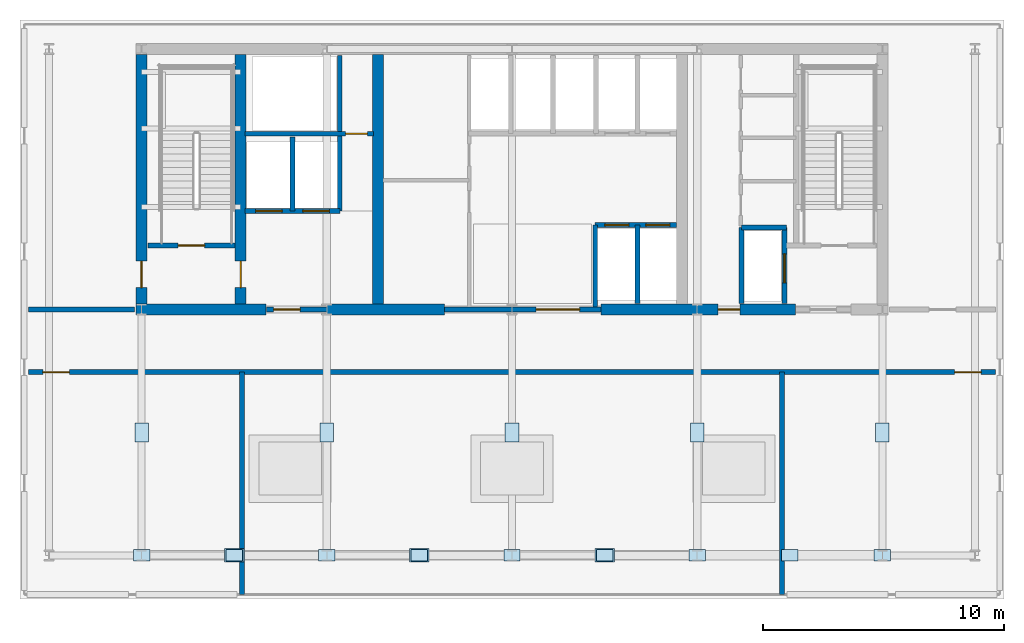
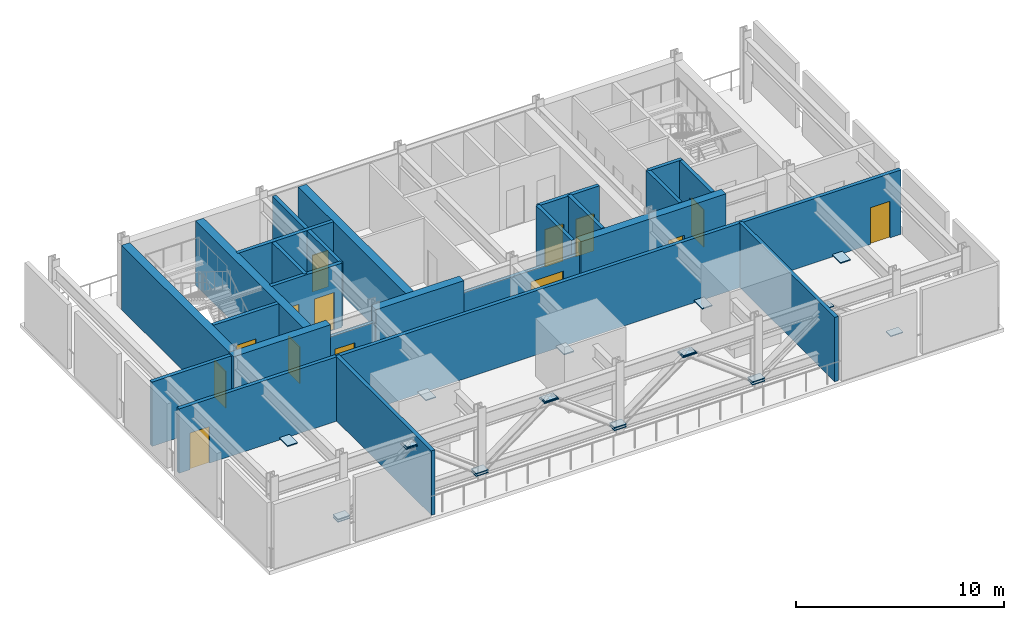
# One storey, part 2 of 8: 23 walls, 21 plates, 14 doors, 14 openings.
"""IFC4 building model written with IfcOpenShell, lengths in metres."""

from ifc_helpers import new_model, si_unit, direction, frame, frame_2d, origin, origin_2d, place, context, subcontext, project, spatial, rectangle, extrude, material, layer, layer_set, type_object, element, fill, save


model = new_model("IFC4")

# Units and contexts
model_context = context("Model", 3, precision=1e-05, world=origin(), true_north=direction((0.0, 1.0)))
body_context = subcontext(model_context, "Body", "Model", "MODEL_VIEW")
ifc_project = project(units=[si_unit("LENGTHUNIT", "METRE"), si_unit("AREAUNIT", "SQUARE_METRE"), si_unit("VOLUMEUNIT", "CUBIC_METRE"), si_unit("PLANEANGLEUNIT", "RADIAN"), si_unit("MASSUNIT", "GRAM", prefix="KILO")], contexts=[model_context])

# Site, building, storey
site_placement = place(None, origin())
site = spatial("IfcSite", under=ifc_project, at=site_placement, CompositionType="ELEMENT")
building_placement = place(site_placement, origin())
building = spatial("IfcBuilding", under=site, at=building_placement, Name="Yelkora Congress Tower", CompositionType="ELEMENT")
storey_placement = place(building_placement, frame((0.0, 0.0, 196.10009765625)))
storey = spatial("IfcBuildingStorey", under=building, at=storey_placement, Name="L54", CompositionType="ELEMENT", Elevation=196.10009765625)

# Plates
ifc_material_1 = material(Name="Steel S355J2", Category="steel")
ifc_layer_1 = layer(ifc_material_1, 0.050048828125)
ifc_layer_set_1 = layer_set([ifc_layer_1], Name="Steel S355J2")
plate_type_1 = type_object("IfcPlateType", Name="PLT-GUSSET-680x480", PredefinedType="USERDEFINED", material=ifc_layer_set_1)
for number, where, z_axis, x_axis, name in (
    (1, (26.8798828125, 25.199951171875, 3.3046875), (0.0, 0.0, 1.0), (1.0, 0.0, 0.0), "N3 L54 Belt Truss Apex Gusset Plate 1"),
    (2, (23.0400390625, 25.199951171875, 0.4248046875), (0.0, 0.0, 1.0), (1.0, 0.0, 0.0), "N3 L54 Belt Truss Foot Gusset Plate 1L"),
    (3, (34.56005859375, 25.199951171875, 3.3046875), (0.0, 0.0, 1.0), (1.0, 0.0, 0.0), "N3 L54 Belt Truss Apex Gusset Plate 2"),
    (4, (30.719970703125, 25.199951171875, 0.4248046875), (0.0, 0.0, 1.0), (1.0, 0.0, 0.0), "N3 L54 Belt Truss Foot Gusset Plate 2L"),
    (5, (42.239990234375, 25.199951171875, 3.3046875), (0.0, 0.0, 1.0), (1.0, 0.0, 0.0), "N3 L54 Belt Truss Apex Gusset Plate 3"),
    (6, (38.39990234375, 25.199951171875, 0.4248046875), (0.0, 0.0, 1.0), (1.0, 0.0, 0.0), "N3 L54 Belt Truss Foot Gusset Plate 3L"),
    (7, (49.919921875, 25.199951171875, 3.3046875), (0.0, 0.0, 1.0), (1.0, 0.0, 0.0), "N3 L54 Belt Truss Apex Gusset Plate 4"),
    (8, (46.080078125, 25.199951171875, 0.4248046875), (0.0, 0.0, 1.0), (1.0, 0.0, 0.0), "N3 L54 Belt Truss Foot Gusset Plate 4L"),
    (9, (53.760009765625, 25.199951171875, 0.4248046875), (0.0, 0.0, 1.0), (1.0, 0.0, 0.0), "N3 L54 Belt Truss Foot Gusset Plate R"),
):
    element("IfcPlate", number, at=place(storey_placement, frame(where, z_axis=z_axis, x_axis=x_axis)), inside=storey, type_object=plate_type_1, Name=name, ObjectType="GUSSET_PLATE", PredefinedType="USERDEFINED", context=body_context, shape_type="SweptSolid", body=[
        extrude(rectangle(XDim=0.679931640625, YDim=0.47998046875, at=origin_2d()), origin(), (0.0, 0.0, 1.0), 0.050048828125),
    ])
ifc_layer_2 = layer(ifc_material_1, 0.050048828125)
ifc_layer_set_2 = layer_set([ifc_layer_2], Name="Steel S355J2")
plate_type_2 = type_object("IfcPlateType", Name="PLT-GUSSET-680x480-EXT", PredefinedType="USERDEFINED", material=ifc_layer_set_2)
for number, where, z_axis, x_axis, name in (
    (10, (23.0400390625, 25.199951171875, 0.27490234375), (0.0, 0.0, 1.0), (1.0, 0.0, 0.0), "Turbine Portal Foot Gusset 1"),
    (11, (30.719970703125, 25.199951171875, 0.27490234375), (0.0, 0.0, 1.0), (1.0, 0.0, 0.0), "Turbine Portal Foot Gusset 2"),
    (12, (38.39990234375, 25.199951171875, 0.27490234375), (0.0, 0.0, 1.0), (1.0, 0.0, 0.0), "Turbine Portal Foot Gusset 3"),
    (13, (46.080078125, 25.199951171875, 0.27490234375), (0.0, 0.0, 1.0), (1.0, 0.0, 0.0), "Turbine Portal Foot Gusset 4"),
):
    element("IfcPlate", number, at=place(storey_placement, frame(where, z_axis=z_axis, x_axis=x_axis)), inside=storey, type_object=plate_type_2, Name=name, ObjectType="GUSSET_PLATE", PredefinedType="USERDEFINED", context=body_context, shape_type="SweptSolid", body=[
        extrude(rectangle(XDim=0.679931640625, YDim=0.47998046875, at=origin_2d()), origin(), (0.0, 0.0, 1.0), 0.050048828125),
    ])
ifc_material_2 = material(Name="Steel S460M", Category="steel")
ifc_layer_3 = layer(ifc_material_2, 0.06005859375)
ifc_layer_set_3 = layer_set([ifc_layer_3], Name="Steel S460M")
plate_type_3 = type_object("IfcPlateType", Name="PLT-GUSSET-800x560", PredefinedType="USERDEFINED", material=ifc_layer_set_3)
for number, where, z_axis, x_axis, name in (
    (14, (23.0400390625, 30.300048828125, 1.7099609375), (0.0, 0.0, 1.0), (0.0, 1.0, 0.0), "N3 Outrigger X-Brace Crossing Gusset Plate 1"),
    (15, (30.719970703125, 30.300048828125, 1.7099609375), (0.0, 0.0, 1.0), (0.0, 1.0, 0.0), "N3 Outrigger X-Brace Crossing Gusset Plate 2"),
    (16, (38.39990234375, 30.300048828125, 1.7099609375), (0.0, 0.0, 1.0), (0.0, 1.0, 0.0), "N3 Outrigger X-Brace Crossing Gusset Plate 3"),
    (17, (46.080078125, 30.300048828125, 1.7099609375), (0.0, 0.0, 1.0), (0.0, 1.0, 0.0), "N3 Outrigger X-Brace Crossing Gusset Plate 4"),
    (18, (53.760009765625, 30.300048828125, 1.7099609375), (0.0, 0.0, 1.0), (0.0, 1.0, 0.0), "N3 Outrigger X-Brace Crossing Gusset Plate 5"),
):
    element("IfcPlate", number, at=place(storey_placement, frame(where, z_axis=z_axis, x_axis=x_axis)), inside=storey, type_object=plate_type_3, Name=name, ObjectType="GUSSET_PLATE", PredefinedType="USERDEFINED", context=body_context, shape_type="SweptSolid", body=[
        extrude(rectangle(XDim=0.800048828125, YDim=0.56005859375, at=origin_2d()), origin(), (0.0, 0.0, 1.0), 0.06005859375),
    ])
ifc_layer_4 = layer(ifc_material_2, 0.06005859375)
ifc_layer_set_4 = layer_set([ifc_layer_4], Name="Steel S460M")
plate_type_4 = type_object("IfcPlateType", Name="PLT-GUSSET-800x560-EXT", PredefinedType="USERDEFINED", material=ifc_layer_set_4)
for number, where, z_axis, x_axis, name in (
    (19, (26.8798828125, 25.199951171875, 3.249755859375), (0.0, 0.0, 1.0), (1.0, 0.0, 0.0), "Turbine Portal Apex Gusset 1"),
    (20, (34.56005859375, 25.199951171875, 3.249755859375), (0.0, 0.0, 1.0), (1.0, 0.0, 0.0), "Turbine Portal Apex Gusset 2"),
    (21, (42.239990234375, 25.199951171875, 3.249755859375), (0.0, 0.0, 1.0), (1.0, 0.0, 0.0), "Turbine Portal Apex Gusset 3"),
):
    element("IfcPlate", number, at=place(storey_placement, frame(where, z_axis=z_axis, x_axis=x_axis)), inside=storey, type_object=plate_type_4, Name=name, ObjectType="GUSSET_PLATE", PredefinedType="USERDEFINED", context=body_context, shape_type="SweptSolid", body=[
        extrude(rectangle(XDim=0.800048828125, YDim=0.56005859375, at=origin_2d()), origin(), (0.0, 0.0, 1.0), 0.06005859375),
    ])

# Walls
ifc_material_3 = material(Name="Concrete C60/75", Category="concrete")
ifc_layer_5 = layer(ifc_material_3, 0.449951171875)
ifc_layer_set_5 = layer_set([ifc_layer_5], Name="Concrete C60/75")
wall_type_1 = type_object("IfcWallType", Name="WALL-CORE-INT-450", PredefinedType="SHEAR", material=ifc_layer_set_5)
wall_1_placement = place(storey_placement, frame((22.81494140625, 35.39990234375, 0.0), z_axis=(0.0, 0.0, 1.0), x_axis=(1.0, 0.0, 0.0)))
element("IfcWall", 22, at=wall_1_placement, inside=storey, type_object=wall_type_1, Name="L54 Rear Core South-West Shear Wall", PredefinedType="SHEAR", context=body_context, shape_type="SweptSolid", body=[
    extrude(rectangle(XDim=5.385009765625, YDim=0.449951171875, at=frame_2d((2.6923828125, 0.0))), origin(), (0.0, 0.0, 1.0), 3.77978515625),
])
wall_2_placement = place(storey_placement, frame((30.719970703125, 35.39990234375, 0.0), z_axis=(0.0, 0.0, 1.0), x_axis=(1.0, 0.0, 0.0)))
element("IfcWall", 23, at=wall_2_placement, inside=storey, type_object=wall_type_1, Name="L54 Rear Core South-Center Shear Pier", PredefinedType="SHEAR", context=body_context, shape_type="SweptSolid", body=[
    extrude(rectangle(XDim=4.880126953125, YDim=0.449951171875, at=frame_2d((2.43994140625, 0.0))), origin(), (0.0, 0.0, 1.0), 3.77978515625),
])

# Wall, opening, door
wall_3_placement = place(storey_placement, frame((42.10009765625, 35.39990234375, 0.0), z_axis=(0.0, 0.0, 1.0), x_axis=(1.0, 0.0, 0.0)))
wall_3 = element("IfcWall", 24, at=wall_3_placement, inside=storey, type_object=wall_type_1, Name="L54 Rear Core South-East Shear Wall A", PredefinedType="SHEAR", context=body_context, shape_type="SweptSolid", body=[
    extrude(rectangle(XDim=8.0498046875, YDim=0.449951171875, at=frame_2d((4.02490234375, 0.0))), origin(), (0.0, 0.0, 1.0), 3.77978515625),
])
opening_1_placement = place(wall_3_placement, frame((4.85009765625, 0.0, 0.0)))
opening_1 = element("IfcOpeningElement", 25, at=opening_1_placement, cuts=wall_3, Name="Opening DR-090F6", PredefinedType="OPENING", context=body_context, shape_type="SweptSolid", body=[
    extrude(rectangle(XDim=0.89990234375, YDim=2.14990234375, at=frame_2d((0.449951171875, 1.074951171875))), frame((0.0, 0.23486328125, 0.0), z_axis=(0.0, -1.0, 0.0), x_axis=(1.0, 0.0, 0.0)), (0.0, 0.0, 1.0), 0.469970703125),
])
ifc_material_4 = material(Name="Painted steel riser fire door leaf", Category="steel")
door_type_1 = type_object("IfcDoorType", Name="DOOR-FD60-900", OperationType="NOTDEFINED", PredefinedType="DOOR", material=ifc_material_4)
door_1_placement = place(opening_1_placement, origin())
door_1 = element("IfcDoor", 26, at=door_1_placement, inside=storey, type_object=door_type_1, Name="L54 Core Washroom Lobby Door", OperationType="SINGLE_SWING_RIGHT", OverallHeight=2.14990234375, OverallWidth=0.89990234375, PredefinedType="DOOR", context=body_context, shape_type="SweptSolid", body=[
    extrude(rectangle(XDim=0.89990234375, YDim=2.14990234375, at=frame_2d((0.449951171875, 1.074951171875))), frame((0.0, 0.02490234375, 0.0), z_axis=(0.0, -1.0, 0.0), x_axis=(1.0, 0.0, 0.0)), (0.0, 0.0, 1.0), 0.050048828125),
])
fill(opening_1, door_1)

wall_4_placement = place(storey_placement, frame((23.0400390625, 35.625, 0.0), z_axis=(0.0, 0.0, 1.0), x_axis=(0.0, 1.0, 0.0)))
wall_4 = element("IfcWall", 27, at=wall_4_placement, inside=storey, type_object=wall_type_1, Name="L54 Rear Core Cross Shear Wall W", PredefinedType="SHEAR", context=body_context, shape_type="SweptSolid", body=[
    extrude(rectangle(XDim=10.35009765625, YDim=0.449951171875, at=frame_2d((5.175048828125, 0.0))), origin(), (0.0, 0.0, 1.0), 3.77978515625),
])
opening_2_placement = place(wall_4_placement, frame((0.675048828125, 0.0, 0.0)))
opening_2 = element("IfcOpeningElement", 28, at=opening_2_placement, cuts=wall_4, Name="Opening DR-110F9", PredefinedType="OPENING", context=body_context, shape_type="SweptSolid", body=[
    extrude(rectangle(XDim=1.10009765625, YDim=2.14990234375, at=frame_2d((0.550048828125, 1.074951171875))), frame((0.0, 0.23486328125, 0.0), z_axis=(0.0, -1.0, 0.0), x_axis=(1.0, 0.0, 0.0)), (0.0, 0.0, 1.0), 0.469970703125),
])
ifc_material_5 = material(Name="Galvanised steel fire door leaf", Category="steel")
door_type_2 = type_object("IfcDoorType", Name="DOOR-FD90-1100", OperationType="NOTDEFINED", PredefinedType="DOOR", material=ifc_material_5)
door_2_placement = place(opening_2_placement, origin())
door_2 = element("IfcDoor", 29, at=door_2_placement, inside=storey, type_object=door_type_2, Name="L54 Area of Refuge Direct Stair-Lobby Door", OperationType="SINGLE_SWING_LEFT", OverallHeight=2.14990234375, OverallWidth=1.10009765625, PredefinedType="DOOR", context=body_context, shape_type="SweptSolid", body=[
    extrude(rectangle(XDim=1.10009765625, YDim=2.14990234375, at=frame_2d((0.550048828125, 1.074951171875))), frame((0.0, 0.02490234375, 0.0), z_axis=(0.0, -1.0, 0.0), x_axis=(1.0, 0.0, 0.0)), (0.0, 0.0, 1.0), 0.050048828125),
])
fill(opening_2, door_2)

wall_5_placement = place(storey_placement, frame((27.14990234375, 35.625, 0.0), z_axis=(0.0, 0.0, 1.0), x_axis=(0.0, 1.0, 0.0)))
wall_5 = element("IfcWall", 30, at=wall_5_placement, inside=storey, type_object=wall_type_1, Name="L54 Rear Core Cross Shear Wall C1", PredefinedType="SHEAR", context=body_context, shape_type="SweptSolid", body=[
    extrude(rectangle(XDim=10.35009765625, YDim=0.449951171875, at=frame_2d((5.175048828125, 0.0))), origin(), (0.0, 0.0, 1.0), 3.77978515625),
])
opening_3_placement = place(wall_5_placement, frame((0.675048828125, 0.0, 0.0)))
opening_3 = element("IfcOpeningElement", 31, at=opening_3_placement, cuts=wall_5, Name="Opening DR-110F9", PredefinedType="OPENING", context=body_context, shape_type="SweptSolid", body=[
    extrude(rectangle(XDim=1.10009765625, YDim=2.14990234375, at=frame_2d((0.550048828125, 1.074951171875))), frame((0.0, 0.23486328125, 0.0), z_axis=(0.0, -1.0, 0.0), x_axis=(1.0, 0.0, 0.0)), (0.0, 0.0, 1.0), 0.469970703125),
])
door_3_placement = place(opening_3_placement, origin())
door_3 = element("IfcDoor", 32, at=door_3_placement, inside=storey, type_object=door_type_2, Name="L54 Firefighting Stair Transfer Door", OperationType="SINGLE_SWING_LEFT", OverallHeight=2.14990234375, OverallWidth=1.10009765625, PredefinedType="DOOR", context=body_context, shape_type="SweptSolid", body=[
    extrude(rectangle(XDim=1.10009765625, YDim=2.14990234375, at=frame_2d((0.550048828125, 1.074951171875))), frame((0.0, 0.02490234375, 0.0), z_axis=(0.0, -1.0, 0.0), x_axis=(1.0, 0.0, 0.0)), (0.0, 0.0, 1.0), 0.050048828125),
])
fill(opening_3, door_3)

# Wall
wall_6_placement = place(storey_placement, frame((32.85009765625, 35.625, 0.0), z_axis=(0.0, 0.0, 1.0), x_axis=(0.0, 1.0, 0.0)))
element("IfcWall", 33, at=wall_6_placement, inside=storey, type_object=wall_type_1, Name="L54 Rear Core Cross Shear Wall C2", PredefinedType="SHEAR", context=body_context, shape_type="SweptSolid", body=[
    extrude(rectangle(XDim=10.35009765625, YDim=0.449951171875, at=frame_2d((5.175048828125, 0.0))), origin(), (0.0, 0.0, 1.0), 3.77978515625),
])

# Wall, opening, door
ifc_material_6 = material(Name="Autoclaved aerated concrete blockwork", Category="masonry")
ifc_layer_6 = layer(ifc_material_6, 0.199951171875)
ifc_layer_set_6 = layer_set([ifc_layer_6], Name="Autoclaved aerated concrete blockwork")
wall_type_2 = type_object("IfcWallType", Name="WALL-INT-200-R120", PredefinedType="PARTITIONING", material=ifc_layer_set_6)
wall_7_placement = place(storey_placement, frame((23.300048828125, 38.050048828125, 0.0), z_axis=(0.0, 0.0, 1.0), x_axis=(1.0, 0.0, 0.0)))
wall_7 = element("IfcWall", 34, at=wall_7_placement, inside=storey, type_object=wall_type_2, Name="L54 Stair ST-01 Enclosure Wall", PredefinedType="PARTITIONING", context=body_context, shape_type="SweptSolid", body=[
    extrude(rectangle(XDim=3.619873046875, YDim=0.199951171875, at=frame_2d((1.81005859375, 0.0))), origin(), (0.0, 0.0, 1.0), 3.77978515625),
])
opening_4_placement = place(wall_7_placement, frame((1.260009765625, 0.0, 0.0)))
opening_4 = element("IfcOpeningElement", 35, at=opening_4_placement, cuts=wall_7, Name="Opening DR-110F9", PredefinedType="OPENING", context=body_context, shape_type="SweptSolid", body=[
    extrude(rectangle(XDim=1.10009765625, YDim=2.14990234375, at=frame_2d((0.550048828125, 1.074951171875))), frame((0.0, 0.10986328125, 0.0), z_axis=(0.0, -1.0, 0.0), x_axis=(1.0, 0.0, 0.0)), (0.0, 0.0, 1.0), 0.219970703125),
])
door_4_placement = place(opening_4_placement, origin())
door_4 = element("IfcDoor", 36, at=door_4_placement, inside=storey, type_object=door_type_2, Name="L54 Stair ST-01 Entry Door", OperationType="SINGLE_SWING_LEFT", OverallHeight=2.14990234375, OverallWidth=1.10009765625, PredefinedType="DOOR", context=body_context, shape_type="SweptSolid", body=[
    extrude(rectangle(XDim=1.10009765625, YDim=2.14990234375, at=frame_2d((0.550048828125, 1.074951171875))), frame((0.0, 0.02490234375, 0.0), z_axis=(0.0, -1.0, 0.0), x_axis=(1.0, 0.0, 0.0)), (0.0, 0.0, 1.0), 0.050048828125),
])
fill(opening_4, door_4)

wall_8_placement = place(storey_placement, frame((28.219970703125, 35.39990234375, 0.0), z_axis=(0.0, 0.0, 1.0), x_axis=(1.0, 0.0, 0.0)))
wall_8 = element("IfcWall", 37, at=wall_8_placement, inside=storey, type_object=wall_type_2, Name="L54 Firefighting Lobby South Wall", PredefinedType="PARTITIONING", context=body_context, shape_type="SweptSolid", body=[
    extrude(rectangle(XDim=2.5, YDim=0.199951171875, at=frame_2d((1.25, 0.0))), origin(), (0.0, 0.0, 1.0), 2.9609375),
])
opening_5_placement = place(wall_8_placement, frame((0.300048828125, 0.0, 0.0)))
opening_5 = element("IfcOpeningElement", 38, at=opening_5_placement, cuts=wall_8, Name="Opening DR-110F9", PredefinedType="OPENING", context=body_context, shape_type="SweptSolid", body=[
    extrude(rectangle(XDim=1.10009765625, YDim=2.14990234375, at=frame_2d((0.550048828125, 1.074951171875))), frame((0.0, 0.10986328125, 0.0), z_axis=(0.0, -1.0, 0.0), x_axis=(1.0, 0.0, 0.0)), (0.0, 0.0, 1.0), 0.219970703125),
])
door_5_placement = place(opening_5_placement, origin())
door_5 = element("IfcDoor", 39, at=door_5_placement, inside=storey, type_object=door_type_2, Name="L54 Firefighting Lobby Corridor Door", OperationType="SINGLE_SWING_RIGHT", OverallHeight=2.14990234375, OverallWidth=1.10009765625, PredefinedType="DOOR", context=body_context, shape_type="SweptSolid", body=[
    extrude(rectangle(XDim=1.10009765625, YDim=2.14990234375, at=frame_2d((0.550048828125, 1.074951171875))), frame((0.0, 0.02490234375, 0.0), z_axis=(0.0, -1.0, 0.0), x_axis=(1.0, 0.0, 0.0)), (0.0, 0.0, 1.0), 0.050048828125),
])
fill(opening_5, door_5)

# Wall, openings, doors
wall_9_placement = place(storey_placement, frame((27.320068359375, 39.47998046875, 0.0), z_axis=(0.0, 0.0, 1.0), x_axis=(1.0, 0.0, 0.0)))
wall_9 = element("IfcWall", 40, at=wall_9_placement, inside=storey, type_object=wall_type_2, Name="L54 Firefighting Lift Front Wall", PredefinedType="PARTITIONING", context=body_context, shape_type="SweptSolid", body=[
    extrude(rectangle(XDim=3.93994140625, YDim=0.199951171875, at=frame_2d((1.969970703125, 0.0))), origin(), (0.0, 0.0, 1.0), 3.77978515625),
])
opening_6_placement = place(wall_9_placement, frame((0.449951171875, 0.0, 0.0)))
opening_6 = element("IfcOpeningElement", 41, at=opening_6_placement, cuts=wall_9, Name="Opening LD-FF11", PredefinedType="OPENING", context=body_context, shape_type="SweptSolid", body=[
    extrude(rectangle(XDim=1.10009765625, YDim=2.199951171875, at=frame_2d((0.550048828125, 1.10009765625))), frame((0.0, 0.10986328125, 0.0), z_axis=(0.0, -1.0, 0.0), x_axis=(1.0, 0.0, 0.0)), (0.0, 0.0, 1.0), 0.219970703125),
])
opening_7_placement = place(wall_9_placement, frame((2.409912109375, 0.0, 0.0)))
opening_7 = element("IfcOpeningElement", 42, at=opening_7_placement, cuts=wall_9, Name="Opening LD-FF11", PredefinedType="OPENING", context=body_context, shape_type="SweptSolid", body=[
    extrude(rectangle(XDim=1.10009765625, YDim=2.199951171875, at=frame_2d((0.550048828125, 1.10009765625))), frame((0.0, 0.10986328125, 0.0), z_axis=(0.0, -1.0, 0.0), x_axis=(1.0, 0.0, 0.0)), (0.0, 0.0, 1.0), 0.219970703125),
])
ifc_material_7 = material(Name="Brushed stainless steel 316L landing door", Category="steel")
door_type_3 = type_object("IfcDoorType", Name="DOOR-LIFT-FF-1100", OperationType="DOUBLE_DOOR_SLIDING", PredefinedType="DOOR", material=ifc_material_7)
door_6_placement = place(opening_6_placement, origin())
door_6 = element("IfcDoor", 43, at=door_6_placement, inside=storey, type_object=door_type_3, Name="Lift Landing Door LF-FF1 L54", OperationType="DOUBLE_DOOR_SLIDING", OverallHeight=2.199951171875, OverallWidth=1.10009765625, PredefinedType="DOOR", context=body_context, shape_type="SweptSolid", body=[
    extrude(rectangle(XDim=1.10009765625, YDim=2.199951171875, at=frame_2d((0.550048828125, 1.10009765625))), frame((0.0, 0.02490234375, 0.0), z_axis=(0.0, -1.0, 0.0), x_axis=(1.0, 0.0, 0.0)), (0.0, 0.0, 1.0), 0.050048828125),
])
fill(opening_6, door_6)
door_7_placement = place(opening_7_placement, origin())
door_7 = element("IfcDoor", 44, at=door_7_placement, inside=storey, type_object=door_type_3, Name="Lift Landing Door LF-FF2 L54", OperationType="DOUBLE_DOOR_SLIDING", OverallHeight=2.199951171875, OverallWidth=1.10009765625, PredefinedType="DOOR", context=body_context, shape_type="SweptSolid", body=[
    extrude(rectangle(XDim=1.10009765625, YDim=2.199951171875, at=frame_2d((0.550048828125, 1.10009765625))), frame((0.0, 0.02490234375, 0.0), z_axis=(0.0, -1.0, 0.0), x_axis=(1.0, 0.0, 0.0)), (0.0, 0.0, 1.0), 0.050048828125),
])
fill(opening_7, door_7)

# Walls
wall_10_placement = place(storey_placement, frame((29.300048828125, 39.47998046875, 0.0), z_axis=(0.0, 0.0, 1.0), x_axis=(0.0, 1.0, 0.0)))
element("IfcWall", 45, at=wall_10_placement, inside=storey, type_object=wall_type_2, Name="L54 Partition Wall 4", PredefinedType="PARTITIONING", context=body_context, shape_type="SweptSolid", body=[
    extrude(rectangle(XDim=3.070068359375, YDim=0.199951171875, at=frame_2d((1.53515625, 0.0))), origin(), (0.0, 0.0, 1.0), 3.77978515625),
])
wall_11_placement = place(storey_placement, frame((31.260009765625, 39.47998046875, 0.0), z_axis=(0.0, 0.0, 1.0), x_axis=(0.0, 1.0, 0.0)))
element("IfcWall", 46, at=wall_11_placement, inside=storey, type_object=wall_type_2, Name="L54 Partition Wall 5", PredefinedType="PARTITIONING", context=body_context, shape_type="SweptSolid", body=[
    extrude(rectangle(XDim=6.43994140625, YDim=0.199951171875, at=frame_2d((3.219970703125, 0.0))), origin(), (0.0, 0.0, 1.0), 3.77978515625),
])

# Wall, opening, door
wall_12_placement = place(storey_placement, frame((27.320068359375, 42.679931640625, 0.0), z_axis=(0.0, 0.0, 1.0), x_axis=(1.0, 0.0, 0.0)))
wall_12 = element("IfcWall", 47, at=wall_12_placement, inside=storey, type_object=wall_type_2, Name="L54 Smoke Riser South Wall", PredefinedType="PARTITIONING", context=body_context, shape_type="SweptSolid", body=[
    extrude(rectangle(XDim=5.329833984375, YDim=0.199951171875, at=frame_2d((2.6650390625, 0.0))), origin(), (0.0, 0.0, 1.0), 3.77978515625),
])
opening_8_placement = place(wall_12_placement, frame((4.179931640625, 0.0, 0.0)))
opening_8 = element("IfcOpeningElement", 48, at=opening_8_placement, cuts=wall_12, Name="Opening DR-090F6", PredefinedType="OPENING", context=body_context, shape_type="SweptSolid", body=[
    extrude(rectangle(XDim=0.89990234375, YDim=2.14990234375, at=frame_2d((0.449951171875, 1.074951171875))), frame((0.0, 0.10986328125, 0.0), z_axis=(0.0, -1.0, 0.0), x_axis=(1.0, 0.0, 0.0)), (0.0, 0.0, 1.0), 0.219970703125),
])
door_8_placement = place(opening_8_placement, origin())
door_8 = element("IfcDoor", 49, at=door_8_placement, inside=storey, type_object=door_type_1, Name="L54 Riser Access Door", OperationType="SINGLE_SWING_LEFT", OverallHeight=2.14990234375, OverallWidth=0.89990234375, PredefinedType="DOOR", context=body_context, shape_type="SweptSolid", body=[
    extrude(rectangle(XDim=0.89990234375, YDim=2.14990234375, at=frame_2d((0.449951171875, 1.074951171875))), frame((0.0, 0.02490234375, 0.0), z_axis=(0.0, -1.0, 0.0), x_axis=(1.0, 0.0, 0.0)), (0.0, 0.0, 1.0), 0.050048828125),
])
fill(opening_8, door_8)

wall_13_placement = place(storey_placement, frame((35.60009765625, 35.39990234375, 0.0), z_axis=(0.0, 0.0, 1.0), x_axis=(1.0, 0.0, 0.0)))
wall_13 = element("IfcWall", 50, at=wall_13_placement, inside=storey, type_object=wall_type_2, Name="L54 Main Lift Lobby South Portal Wall", PredefinedType="PARTITIONING", context=body_context, shape_type="SweptSolid", body=[
    extrude(rectangle(XDim=6.5, YDim=0.199951171875, at=frame_2d((3.25, 0.0))), origin(), (0.0, 0.0, 1.0), 2.9609375),
])
opening_9_placement = place(wall_13_placement, frame((3.800048828125, 0.0, 0.0)))
opening_9 = element("IfcOpeningElement", 51, at=opening_9_placement, cuts=wall_13, Name="Opening DR-180D", PredefinedType="OPENING", context=body_context, shape_type="SweptSolid", body=[
    extrude(rectangle(XDim=1.800048828125, YDim=2.300048828125, at=frame_2d((0.89990234375, 1.14990234375))), frame((0.0, 0.10986328125, 0.0), z_axis=(0.0, -1.0, 0.0), x_axis=(1.0, 0.0, 0.0)), (0.0, 0.0, 1.0), 0.219970703125),
])
ifc_material_8 = material(Name="Acoustic double congress hall doors", Category="wood")
door_type_4 = type_object("IfcDoorType", Name="DOOR-DBL-1800", OperationType="DOUBLE_DOOR_SINGLE_SWING", PredefinedType="DOOR", material=ifc_material_8)
door_9_placement = place(opening_9_placement, origin())
door_9 = element("IfcDoor", 52, at=door_9_placement, inside=storey, type_object=door_type_4, Name="L54 Main Lift Lobby Portal Door", OperationType="DOUBLE_DOOR_SINGLE_SWING", OverallHeight=2.300048828125, OverallWidth=1.800048828125, PredefinedType="DOOR", context=body_context, shape_type="SweptSolid", body=[
    extrude(rectangle(XDim=1.800048828125, YDim=2.300048828125, at=frame_2d((0.89990234375, 1.14990234375))), frame((0.0, 0.02490234375, 0.0), z_axis=(0.0, -1.0, 0.0), x_axis=(1.0, 0.0, 0.0)), (0.0, 0.0, 1.0), 0.050048828125),
])
fill(opening_9, door_9)

# Wall, openings, doors
wall_14_placement = place(storey_placement, frame((41.85009765625, 38.89990234375, 0.0), z_axis=(0.0, 0.0, 1.0), x_axis=(1.0, 0.0, 0.0)))
wall_14 = element("IfcWall", 53, at=wall_14_placement, inside=storey, type_object=wall_type_2, Name="L54 Partition Wall 13", PredefinedType="PARTITIONING", context=body_context, shape_type="SweptSolid", body=[
    extrude(rectangle(XDim=3.369873046875, YDim=0.199951171875, at=frame_2d((1.68505859375, 0.0))), origin(), (0.0, 0.0, 1.0), 3.77978515625),
])
opening_10_placement = place(wall_14_placement, frame((0.39990234375, 0.0, 0.0)))
opening_10 = element("IfcOpeningElement", 54, at=opening_10_placement, cuts=wall_14, Name="Opening LD-PS10", PredefinedType="OPENING", context=body_context, shape_type="SweptSolid", body=[
    extrude(rectangle(XDim=1.0, YDim=2.199951171875, at=frame_2d((0.5, 1.10009765625))), frame((0.0, 0.10986328125, 0.0), z_axis=(0.0, -1.0, 0.0), x_axis=(1.0, 0.0, 0.0)), (0.0, 0.0, 1.0), 0.219970703125),
])
opening_11_placement = place(wall_14_placement, frame((2.10009765625, 0.0, 0.0)))
opening_11 = element("IfcOpeningElement", 55, at=opening_11_placement, cuts=wall_14, Name="Opening LD-PS10", PredefinedType="OPENING", context=body_context, shape_type="SweptSolid", body=[
    extrude(rectangle(XDim=1.0, YDim=2.199951171875, at=frame_2d((0.5, 1.10009765625))), frame((0.0, 0.10986328125, 0.0), z_axis=(0.0, -1.0, 0.0), x_axis=(1.0, 0.0, 0.0)), (0.0, 0.0, 1.0), 0.219970703125),
])
ifc_material_9 = material(Name="Champagne stainless steel landing door", Category="steel")
door_type_5 = type_object("IfcDoorType", Name="DOOR-LIFT-PAS-1000", OperationType="DOUBLE_DOOR_SLIDING", PredefinedType="DOOR", material=ifc_material_9)
door_10_placement = place(opening_10_placement, origin())
door_10 = element("IfcDoor", 56, at=door_10_placement, inside=storey, type_object=door_type_5, Name="Lift Landing Door LF-P5 L54", OperationType="DOUBLE_DOOR_SLIDING", OverallHeight=2.199951171875, OverallWidth=1.0, PredefinedType="DOOR", context=body_context, shape_type="SweptSolid", body=[
    extrude(rectangle(XDim=1.0, YDim=2.199951171875, at=frame_2d((0.5, 1.10009765625))), frame((0.0, 0.02490234375, 0.0), z_axis=(0.0, -1.0, 0.0), x_axis=(1.0, 0.0, 0.0)), (0.0, 0.0, 1.0), 0.050048828125),
])
fill(opening_10, door_10)
door_11_placement = place(opening_11_placement, origin())
door_11 = element("IfcDoor", 57, at=door_11_placement, inside=storey, type_object=door_type_5, Name="Lift Landing Door LF-P6 L54", OperationType="DOUBLE_DOOR_SLIDING", OverallHeight=2.199951171875, OverallWidth=1.0, PredefinedType="DOOR", context=body_context, shape_type="SweptSolid", body=[
    extrude(rectangle(XDim=1.0, YDim=2.199951171875, at=frame_2d((0.5, 1.10009765625))), frame((0.0, 0.02490234375, 0.0), z_axis=(0.0, -1.0, 0.0), x_axis=(1.0, 0.0, 0.0)), (0.0, 0.0, 1.0), 0.050048828125),
])
fill(opening_11, door_11)

# Walls
wall_15_placement = place(storey_placement, frame((43.60009765625, 35.64990234375, 0.0), z_axis=(0.0, 0.0, 1.0), x_axis=(0.0, 1.0, 0.0)))
element("IfcWall", 58, at=wall_15_placement, inside=storey, type_object=wall_type_2, Name="L54 Partition Wall 15", PredefinedType="PARTITIONING", context=body_context, shape_type="SweptSolid", body=[
    extrude(rectangle(XDim=3.25, YDim=0.199951171875, at=frame_2d((1.625, 0.0))), origin(), (0.0, 0.0, 1.0), 3.77978515625),
])
wall_16_placement = place(storey_placement, frame((41.85009765625, 35.5, 0.0), z_axis=(0.0, 0.0, 1.0), x_axis=(0.0, 1.0, 0.0)))
element("IfcWall", 59, at=wall_16_placement, inside=storey, type_object=wall_type_2, Name="L54 Partition Wall 17", PredefinedType="PARTITIONING", context=body_context, shape_type="SweptSolid", body=[
    extrude(rectangle(XDim=3.39990234375, YDim=0.199951171875, at=frame_2d((1.699951171875, 0.0))), origin(), (0.0, 0.0, 1.0), 3.77978515625),
])

# Wall, opening, door
wall_17_placement = place(storey_placement, frame((49.699951171875, 35.64990234375, 0.0), z_axis=(0.0, 0.0, 1.0), x_axis=(0.0, 1.0, 0.0)))
wall_17 = element("IfcWall", 60, at=wall_17_placement, inside=storey, type_object=wall_type_2, Name="L54 Partition Wall 21", PredefinedType="PARTITIONING", context=body_context, shape_type="SweptSolid", body=[
    extrude(rectangle(XDim=3.150146484375, YDim=0.199951171875, at=frame_2d((1.5751953125, 0.0))), origin(), (0.0, 0.0, 1.0), 3.77978515625),
])
opening_12_placement = place(wall_17_placement, frame((0.85009765625, 0.0, 0.0)))
opening_12 = element("IfcOpeningElement", 61, at=opening_12_placement, cuts=wall_17, Name="Opening LD-SV12", PredefinedType="OPENING", context=body_context, shape_type="SweptSolid", body=[
    extrude(rectangle(XDim=1.199951171875, YDim=2.199951171875, at=frame_2d((0.60009765625, 1.10009765625))), frame((0.0, 0.10986328125, 0.0), z_axis=(0.0, -1.0, 0.0), x_axis=(1.0, 0.0, 0.0)), (0.0, 0.0, 1.0), 0.219970703125),
])
ifc_material_10 = material(Name="Heavy-duty stainless steel landing door", Category="steel")
door_type_6 = type_object("IfcDoorType", Name="DOOR-LIFT-SRV-1200", OperationType="DOUBLE_DOOR_SLIDING", PredefinedType="DOOR", material=ifc_material_10)
door_12_placement = place(opening_12_placement, origin())
door_12 = element("IfcDoor", 62, at=door_12_placement, inside=storey, type_object=door_type_6, Name="Service Lift Landing Door LF-SV1 L54", OperationType="DOUBLE_DOOR_SLIDING", OverallHeight=2.199951171875, OverallWidth=1.199951171875, PredefinedType="DOOR", context=body_context, shape_type="SweptSolid", body=[
    extrude(rectangle(XDim=1.199951171875, YDim=2.199951171875, at=frame_2d((0.60009765625, 1.10009765625))), frame((0.0, 0.02490234375, 0.0), z_axis=(0.0, -1.0, 0.0), x_axis=(1.0, 0.0, 0.0)), (0.0, 0.0, 1.0), 0.050048828125),
])
fill(opening_12, door_12)

# Walls
wall_18_placement = place(storey_placement, frame((47.919921875, 35.64990234375, 0.0), z_axis=(0.0, 0.0, 1.0), x_axis=(0.0, 1.0, 0.0)))
element("IfcWall", 63, at=wall_18_placement, inside=storey, type_object=wall_type_2, Name="L54 Partition Wall 22", PredefinedType="PARTITIONING", context=body_context, shape_type="SweptSolid", body=[
    extrude(rectangle(XDim=3.150146484375, YDim=0.199951171875, at=frame_2d((1.5751953125, 0.0))), origin(), (0.0, 0.0, 1.0), 3.77978515625),
])
wall_19_placement = place(storey_placement, frame((47.919921875, 38.800048828125, 0.0), z_axis=(0.0, 0.0, 1.0), x_axis=(1.0, 0.0, 0.0)))
element("IfcWall", 64, at=wall_19_placement, inside=storey, type_object=wall_type_2, Name="L54 Partition Wall 23", PredefinedType="PARTITIONING", context=body_context, shape_type="SweptSolid", body=[
    extrude(rectangle(XDim=1.860107421875, YDim=0.199951171875, at=frame_2d((0.93017578125, 0.0))), origin(), (0.0, 0.0, 1.0), 3.77978515625),
])
wall_20_placement = place(storey_placement, frame((18.35009765625, 35.39990234375, 0.0), z_axis=(0.0, 0.0, 1.0), x_axis=(1.0, 0.0, 0.0)))
element("IfcWall", 65, at=wall_20_placement, inside=storey, type_object=wall_type_2, Name="L54 Partition Wall 28", PredefinedType="PARTITIONING", context=body_context, shape_type="SweptSolid", body=[
    extrude(rectangle(XDim=4.39990234375, YDim=0.199951171875, at=frame_2d((2.199951171875, 0.0))), origin(), (0.0, 0.0, 1.0), 3.77978515625),
])
for number, where, z_axis, x_axis, name in (
    (66, (27.199951171875, 23.580078125, 0.0), (0.0, 0.0, 1.0), (0.0, 1.0, 0.0), "L54 Partition Wall 30"),
    (67, (49.60009765625, 23.580078125, 0.0), (0.0, 0.0, 1.0), (0.0, 1.0, 0.0), "L54 Partition Wall 31"),
):
    element("IfcWall", number, at=place(storey_placement, frame(where, z_axis=z_axis, x_axis=x_axis)), inside=storey, type_object=wall_type_2, Name=name, PredefinedType="PARTITIONING", context=body_context, shape_type="SweptSolid", body=[
        extrude(rectangle(XDim=9.219970703125, YDim=0.199951171875, at=frame_2d((4.60986328125, 0.0))), origin(), (0.0, 0.0, 1.0), 3.77978515625),
    ])

# Wall, openings, doors
wall_21_placement = place(storey_placement, frame((18.35009765625, 32.800048828125, 0.0), z_axis=(0.0, 0.0, 1.0), x_axis=(1.0, 0.0, 0.0)))
wall_21 = element("IfcWall", 68, at=wall_21_placement, inside=storey, type_object=wall_type_2, Name="L54 Partition Wall 32", PredefinedType="PARTITIONING", context=body_context, shape_type="SweptSolid", body=[
    extrude(rectangle(XDim=40.099853515625, YDim=0.199951171875, at=frame_2d((20.0498046875, 0.0))), origin(), (0.0, 0.0, 1.0), 3.77978515625),
])
opening_13_placement = place(wall_21_placement, frame((0.60009765625, 0.0, 0.0)))
opening_13 = element("IfcOpeningElement", 69, at=opening_13_placement, cuts=wall_21, Name="Opening DR-110F9", PredefinedType="OPENING", context=body_context, shape_type="SweptSolid", body=[
    extrude(rectangle(XDim=1.10009765625, YDim=2.14990234375, at=frame_2d((0.550048828125, 1.074951171875))), frame((0.0, 0.10986328125, 0.0), z_axis=(0.0, -1.0, 0.0), x_axis=(1.0, 0.0, 0.0)), (0.0, 0.0, 1.0), 0.219970703125),
])
opening_14_placement = place(wall_21_placement, frame((38.39990234375, 0.0, 0.0)))
opening_14 = element("IfcOpeningElement", 70, at=opening_14_placement, cuts=wall_21, Name="Opening DR-110F9", PredefinedType="OPENING", context=body_context, shape_type="SweptSolid", body=[
    extrude(rectangle(XDim=1.10009765625, YDim=2.14990234375, at=frame_2d((0.550048828125, 1.074951171875))), frame((0.0, 0.10986328125, 0.0), z_axis=(0.0, -1.0, 0.0), x_axis=(1.0, 0.0, 0.0)), (0.0, 0.0, 1.0), 0.219970703125),
])
door_13_placement = place(opening_13_placement, origin())
door_13 = element("IfcDoor", 71, at=door_13_placement, inside=storey, type_object=door_type_2, Name="L54 Interior Door 21", OperationType="SINGLE_SWING_LEFT", OverallHeight=2.14990234375, OverallWidth=1.10009765625, PredefinedType="DOOR", context=body_context, shape_type="SweptSolid", body=[
    extrude(rectangle(XDim=1.10009765625, YDim=2.14990234375, at=frame_2d((0.550048828125, 1.074951171875))), frame((0.0, 0.02490234375, 0.0), z_axis=(0.0, -1.0, 0.0), x_axis=(1.0, 0.0, 0.0)), (0.0, 0.0, 1.0), 0.050048828125),
])
fill(opening_13, door_13)
door_14_placement = place(opening_14_placement, origin())
door_14 = element("IfcDoor", 72, at=door_14_placement, inside=storey, type_object=door_type_2, Name="L54 Interior Door 22", OperationType="SINGLE_SWING_RIGHT", OverallHeight=2.14990234375, OverallWidth=1.10009765625, PredefinedType="DOOR", context=body_context, shape_type="SweptSolid", body=[
    extrude(rectangle(XDim=1.10009765625, YDim=2.14990234375, at=frame_2d((0.550048828125, 1.074951171875))), frame((0.0, 0.02490234375, 0.0), z_axis=(0.0, -1.0, 0.0), x_axis=(1.0, 0.0, 0.0)), (0.0, 0.0, 1.0), 0.050048828125),
])
fill(opening_14, door_14)

save(model, "model.ifc")
